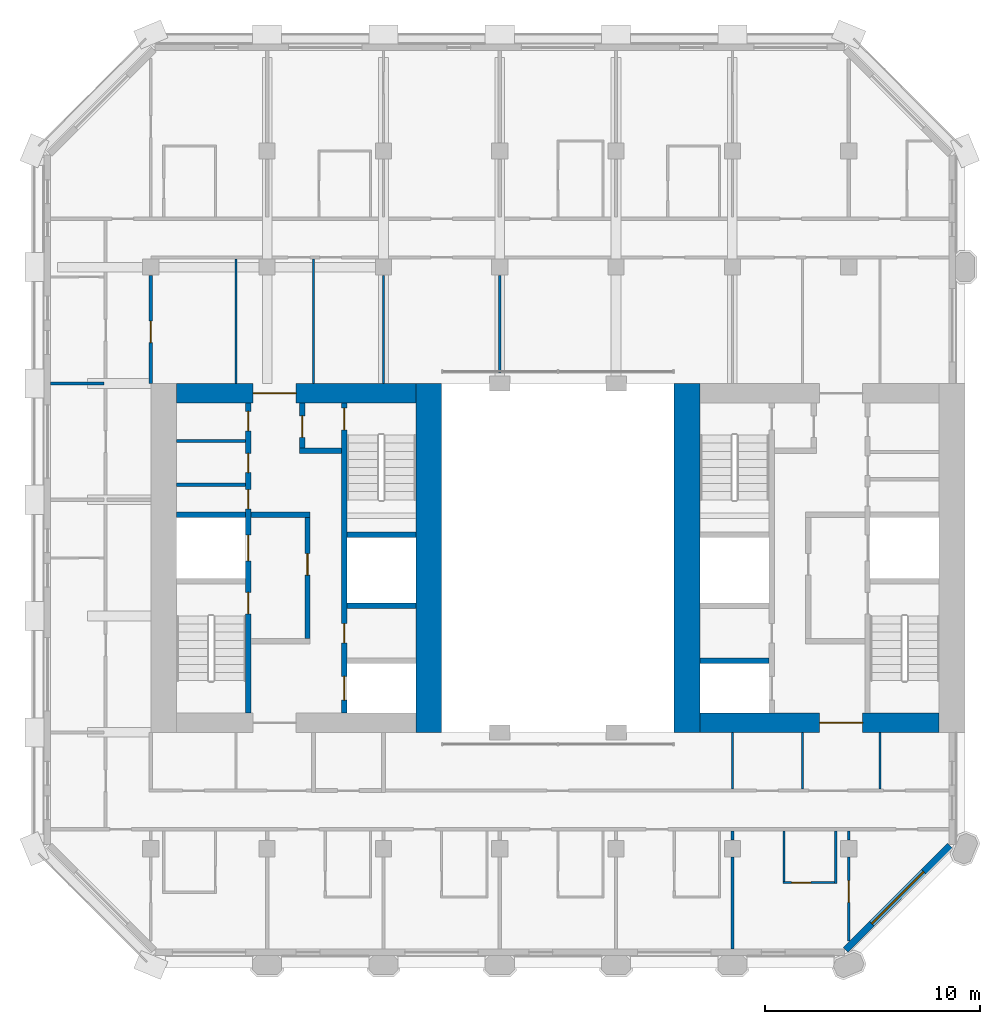
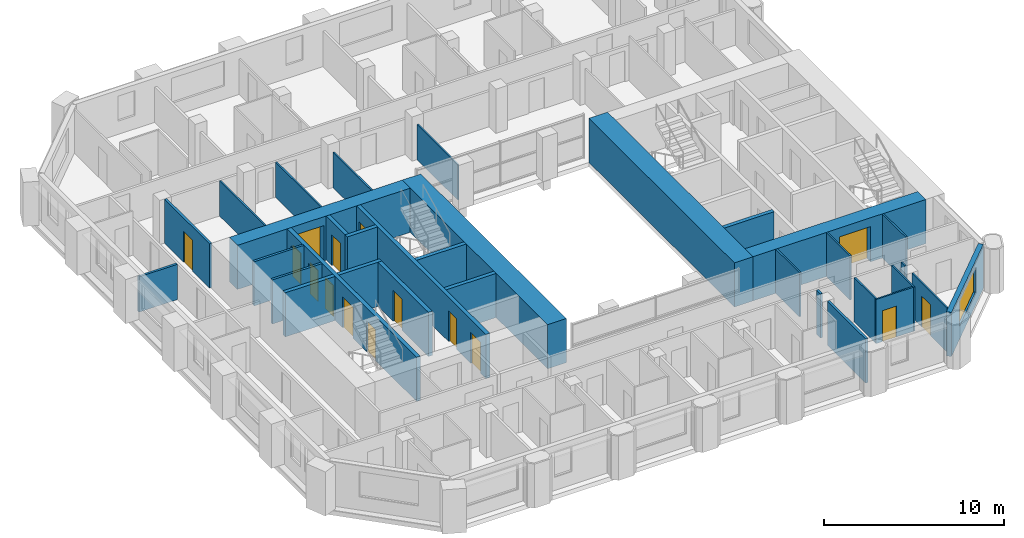
# One storey, part 8 of 14: 33 walls, 15 doors, 1 window, 16 openings.
"""IFC4 building model written with IfcOpenShell, lengths in metres."""

from ifc_helpers import new_model, si_unit, direction, frame, frame_2d, origin, place, context, subcontext, project, spatial, rectangle, extrude, material, layer, layer_set, type_object, element, fill, save


model = new_model("IFC4")

# Units and contexts
model_context = context("Model", 3, precision=1e-05, world=origin(), true_north=direction((0.0, 1.0)))
body_context = subcontext(model_context, "Body", "Model", "MODEL_VIEW")
ifc_project = project(units=[si_unit("LENGTHUNIT", "METRE"), si_unit("AREAUNIT", "SQUARE_METRE"), si_unit("VOLUMEUNIT", "CUBIC_METRE"), si_unit("PLANEANGLEUNIT", "RADIAN"), si_unit("MASSUNIT", "GRAM", prefix="KILO")], contexts=[model_context])

# Site, building, storey
site_placement = place(None, origin())
site = spatial("IfcSite", under=ifc_project, at=site_placement, CompositionType="ELEMENT")
building_placement = place(site_placement, origin())
building = spatial("IfcBuilding", under=site, at=building_placement, Name="Tabaq Tower and Sports Hall", CompositionType="ELEMENT")
storey_placement = place(building_placement, frame((0.0, 0.0, 213.699951171875)))
storey = spatial("IfcBuildingStorey", under=building, at=storey_placement, Name="L53", CompositionType="ELEMENT", Elevation=213.699951171875)

# Walls
ifc_material_1 = material(Name="Blockwork", Category="masonry")
ifc_layer_1 = layer(ifc_material_1, 0.14990234375)
ifc_layer_set_1 = layer_set([ifc_layer_1], Name="Core room partition 150 Blockwork")
wall_type_1 = type_object("IfcWallType", Name="Core room partition 150 Blockwork", PredefinedType="PARTITIONING", material=ifc_layer_set_1)
for number, where, z_axis, x_axis, name in (
    (1, (6.60009765625, 27.694091796875, 0.0), (0.0, 0.0, 1.0), (1.0, 0.0, 0.0), "Core room partition W L53"),
    (2, (6.60009765625, 29.72412109375, 0.0), (0.0, 0.0, 1.0), (1.0, 0.0, 0.0), "Core room partition W L53"),
):
    element("IfcWall", number, at=place(storey_placement, frame(where, z_axis=z_axis, x_axis=x_axis)), inside=storey, type_object=wall_type_1, Name=name, PredefinedType="PARTITIONING", context=body_context, shape_type="SweptSolid", body=[
        extrude(rectangle(XDim=3.199951171875, YDim=0.14990234375, at=frame_2d((1.60009765625, 0.0))), origin(), (0.0, 0.0, 1.0), 3.0),
    ])
ifc_material_2 = material(Name="Concrete C50/60", Category="concrete")
ifc_layer_2 = layer(ifc_material_2, 1.199951171875)
ifc_layer_set_2 = layer_set([ifc_layer_2], Name="Core wall 1200 Concrete C50/60")
wall_type_2 = type_object("IfcWallType", Name="Core wall 1200 Concrete C50/60", PredefinedType="SOLIDWALL", material=ifc_layer_set_2)
for number, where, z_axis, x_axis, name in (
    (3, (18.300048828125, 32.39990234375, 0.0), (0.0, 0.0, 1.0), (0.0, -1.0, 0.0), "Core wall W L53"),
    (4, (30.300048828125, 16.199951171875, 0.0), (0.0, 0.0, 1.0), (0.0, 1.0, 0.0), "Core wall E L53"),
):
    element("IfcWall", number, at=place(storey_placement, frame(where, z_axis=z_axis, x_axis=x_axis)), inside=storey, type_object=wall_type_2, Name=name, PredefinedType="SOLIDWALL", context=body_context, shape_type="SweptSolid", body=[
        extrude(rectangle(XDim=16.199951171875, YDim=1.199951171875, at=frame_2d((8.10009765625, 0.0))), origin(), (0.0, 0.0, 1.0), 3.0),
    ])

# Wall, opening, door
ifc_material_3 = material(Name="Concrete C50/60", Category="concrete")
ifc_layer_3 = layer(ifc_material_3, 0.89990234375)
ifc_layer_set_3 = layer_set([ifc_layer_3], Name="Core wall 900 Concrete C50/60")
wall_type_3 = type_object("IfcWallType", Name="Core wall 900 Concrete C50/60", PredefinedType="SOLIDWALL", material=ifc_layer_set_3)
wall_1_placement = place(storey_placement, frame((6.60009765625, 31.949951171875, 0.0), z_axis=(0.0, 0.0, 1.0), x_axis=(1.0, 0.0, 0.0)))
wall_1 = element("IfcWall", 5, at=wall_1_placement, inside=storey, type_object=wall_type_3, Name="Core wall W L53", PredefinedType="SOLIDWALL", context=body_context, shape_type="SweptSolid", body=[
    extrude(rectangle(XDim=11.099853515625, YDim=0.89990234375, at=frame_2d((5.5498046875, 0.0))), origin(), (0.0, 0.0, 1.0), 3.0),
])
opening_1_placement = place(wall_1_placement, frame((3.550048828125, 0.0, 0.0)))
opening_1 = element("IfcOpeningElement", 6, at=opening_1_placement, cuts=wall_1, Name="Opening PD-WL53-02", PredefinedType="OPENING", context=body_context, shape_type="SweptSolid", body=[
    extrude(rectangle(XDim=2.0, YDim=2.39990234375, at=frame_2d((1.0, 1.199951171875))), frame((0.0, 0.449951171875, 0.0), z_axis=(0.0, -1.0, 0.0), x_axis=(1.0, 0.0, 0.0)), (0.0, 0.0, 1.0), 0.89990234375),
])
ifc_material_4 = material(Name="Steel fire door", Category="steel")
door_type_1 = type_object("IfcDoorType", Name="Core entrance door 2000", OperationType="DOUBLE_DOOR_SINGLE_SWING", PredefinedType="DOOR", material=ifc_material_4)
door_1_placement = place(opening_1_placement, origin())
door_1 = element("IfcDoor", 7, at=door_1_placement, inside=storey, type_object=door_type_1, Name="Core entrance north W L53", OperationType="DOUBLE_DOOR_SINGLE_SWING", OverallHeight=2.39990234375, OverallWidth=2.0, PredefinedType="DOOR", context=body_context, shape_type="SweptSolid", body=[
    extrude(rectangle(XDim=2.0, YDim=2.39990234375, at=frame_2d((1.0, 1.199951171875))), frame((0.0, 0.02490234375, 0.0), z_axis=(0.0, -1.0, 0.0), x_axis=(1.0, 0.0, 0.0)), (0.0, 0.0, 1.0), 0.050048828125),
])
fill(opening_1, door_1)

wall_2_placement = place(storey_placement, frame((42.0, 16.64990234375, 0.0), z_axis=(0.0, 0.0, 1.0), x_axis=(-1.0, 0.0, 0.0)))
wall_2 = element("IfcWall", 8, at=wall_2_placement, inside=storey, type_object=wall_type_3, Name="Core wall E L53", PredefinedType="SOLIDWALL", context=body_context, shape_type="SweptSolid", body=[
    extrude(rectangle(XDim=11.10009765625, YDim=0.89990234375, at=frame_2d((5.550048828125, 0.0))), origin(), (0.0, 0.0, 1.0), 3.0),
])
opening_2_placement = place(wall_2_placement, frame((3.550048828125, 0.0, 0.0)))
opening_2 = element("IfcOpeningElement", 9, at=opening_2_placement, cuts=wall_2, Name="Opening PD-EL53-01", PredefinedType="OPENING", context=body_context, shape_type="SweptSolid", body=[
    extrude(rectangle(XDim=2.0, YDim=2.39990234375, at=frame_2d((1.0, 1.199951171875))), frame((0.0, 0.449951171875, 0.0), z_axis=(0.0, -1.0, 0.0), x_axis=(1.0, 0.0, 0.0)), (0.0, 0.0, 1.0), 0.89990234375),
])
door_2_placement = place(opening_2_placement, origin())
door_2 = element("IfcDoor", 10, at=door_2_placement, inside=storey, type_object=door_type_1, Name="Core entrance south E L53", OperationType="DOUBLE_DOOR_SINGLE_SWING", OverallHeight=2.39990234375, OverallWidth=2.0, PredefinedType="DOOR", context=body_context, shape_type="SweptSolid", body=[
    extrude(rectangle(XDim=2.0, YDim=2.39990234375, at=frame_2d((1.0, 1.199951171875))), frame((0.0, 0.02490234375, 0.0), z_axis=(0.0, -1.0, 0.0), x_axis=(1.0, 0.0, 0.0)), (0.0, 0.0, 1.0), 0.050048828125),
])
fill(opening_2, door_2)

# Walls
ifc_material_5 = material(Name="Gypsum board on steel studs", Category="steel")
ifc_layer_4 = layer(ifc_material_5, 0.10009765625)
ifc_layer_set_4 = layer_set([ifc_layer_4], Name="Partition 100 Gypsum board")
wall_type_4 = type_object("IfcWallType", Name="Partition 100 Gypsum board", PredefinedType="PARTITIONING", material=ifc_layer_set_4)
wall_3_placement = place(storey_placement, frame((21.60009765625, 37.405029296875, 0.0), z_axis=(0.0, 0.0, 1.0), x_axis=(0.0, -1.0, 0.0)))
element("IfcWall", 11, at=wall_3_placement, inside=storey, type_object=wall_type_4, Name="Partition wall L53", PredefinedType="PARTITIONING", context=body_context, shape_type="SweptSolid", body=[
    extrude(rectangle(XDim=4.510009765625, YDim=0.10009765625, at=frame_2d((2.2548828125, 0.0))), origin(), (0.0, 0.0, 1.0), 2.400146484375),
])
wall_4_placement = place(storey_placement, frame((16.199951171875, 37.405029296875, 0.0), z_axis=(0.0, 0.0, 1.0), x_axis=(0.0, -1.0, 0.0)))
element("IfcWall", 12, at=wall_4_placement, inside=storey, type_object=wall_type_4, Name="Partition wall L53", PredefinedType="PARTITIONING", context=body_context, shape_type="SweptSolid", body=[
    extrude(rectangle(XDim=5.005126953125, YDim=0.10009765625, at=frame_2d((2.50244140625, 0.0))), origin(), (0.0, 0.0, 1.0), 2.400146484375),
])
for number, where, z_axis, x_axis, name in (
    (13, (12.949951171875, 32.39990234375, 0.0), (0.0, 0.0, 1.0), (0.0, 1.0, 0.0), "Partition wall L53"),
    (14, (9.35009765625, 38.175048828125, 0.0), (0.0, 0.0, 1.0), (0.0, -1.0, 0.0), "Partition wall L53"),
):
    element("IfcWall", number, at=place(storey_placement, frame(where, z_axis=z_axis, x_axis=x_axis)), inside=storey, type_object=wall_type_4, Name=name, PredefinedType="PARTITIONING", context=body_context, shape_type="SweptSolid", body=[
        extrude(rectangle(XDim=5.775146484375, YDim=0.10009765625, at=frame_2d((2.8876953125, 0.0))), origin(), (0.0, 0.0, 1.0), 2.400146484375),
    ])

# Wall, opening, door
wall_5_placement = place(storey_placement, frame((37.800048828125, 6.51220703125, 0.0), z_axis=(0.0, 0.0, 1.0), x_axis=(0.0, 1.0, 0.0)))
wall_5 = element("IfcWall", 15, at=wall_5_placement, inside=storey, type_object=wall_type_4, Name="Partition wall L53", PredefinedType="PARTITIONING", context=body_context, shape_type="SweptSolid", body=[
    extrude(rectangle(XDim=3.892822265625, YDim=0.10009765625, at=frame_2d((1.9462890625, 0.0))), origin(), (0.0, 0.0, 1.0), 3.0),
])
opening_3_placement = place(wall_5_placement, frame((1.80029296875, 0.0, 0.0)))
opening_3 = element("IfcOpeningElement", 16, at=opening_3_placement, cuts=wall_5, Name="Opening L53-038", PredefinedType="OPENING", context=body_context, shape_type="SweptSolid", body=[
    extrude(rectangle(XDim=1.0, YDim=2.10009765625, at=frame_2d((0.5, 1.050048828125))), frame((0.0, 0.050048828125, 0.0), z_axis=(0.0, -1.0, 0.0), x_axis=(1.0, 0.0, 0.0)), (0.0, 0.0, 1.0), 0.10009765625),
])
ifc_material_6 = material(Name="Timber leaf in steel frame", Category="steel")
door_type_2 = type_object("IfcDoorType", Name="Internal door 1000 right hand", OperationType="SINGLE_SWING_RIGHT", PredefinedType="DOOR", material=ifc_material_6)
door_3_placement = place(opening_3_placement, origin())
door_3 = element("IfcDoor", 17, at=door_3_placement, inside=storey, type_object=door_type_2, Name="Internal door L53-038", OperationType="SINGLE_SWING_RIGHT", OverallHeight=2.10009765625, OverallWidth=1.0, PredefinedType="DOOR", context=body_context, shape_type="SweptSolid", body=[
    extrude(rectangle(XDim=1.0, YDim=2.10009765625, at=frame_2d((0.5, 1.050048828125))), frame((0.0, 0.02490234375, 0.0), z_axis=(0.0, -1.0, 0.0), x_axis=(1.0, 0.0, 0.0)), (0.0, 0.0, 1.0), 0.050048828125),
])
fill(opening_3, door_3)

# Walls
wall_6_placement = place(storey_placement, frame((37.800048828125, 11.195068359375, 0.0), z_axis=(0.0, 0.0, 1.0), x_axis=(0.0, 1.0, 0.0)))
element("IfcWall", 18, at=wall_6_placement, inside=storey, type_object=wall_type_4, Name="Partition wall L53", PredefinedType="PARTITIONING", context=body_context, shape_type="SweptSolid", body=[
    extrude(rectangle(XDim=0.429931640625, YDim=0.10009765625, at=frame_2d((0.21484375, 0.0))), origin(), (0.0, 0.0, 1.0), 3.0),
])
wall_7_placement = place(storey_placement, frame((37.199951171875, 11.625, 0.0), z_axis=(0.0, 0.0, 1.0), x_axis=(0.0, -1.0, 0.0)))
element("IfcWall", 19, at=wall_7_placement, inside=storey, type_object=wall_type_4, Name="Partition wall L53", PredefinedType="PARTITIONING", context=body_context, shape_type="SweptSolid", body=[
    extrude(rectangle(XDim=2.449951171875, YDim=0.10009765625, at=frame_2d((1.22509765625, 0.0))), origin(), (0.0, 0.0, 1.0), 3.0),
])

# Wall, opening, door
wall_8_placement = place(storey_placement, frame((37.14990234375, 9.22509765625, 0.0), z_axis=(0.0, 0.0, 1.0), x_axis=(-1.0, 0.0, 0.0)))
wall_8 = element("IfcWall", 20, at=wall_8_placement, inside=storey, type_object=wall_type_4, Name="Partition wall L53", PredefinedType="PARTITIONING", context=body_context, shape_type="SweptSolid", body=[
    extrude(rectangle(XDim=2.39990234375, YDim=0.10009765625, at=frame_2d((1.199951171875, 0.0))), origin(), (0.0, 0.0, 1.0), 3.0),
])
opening_4_placement = place(wall_8_placement, frame((1.10009765625, 0.0, 0.0)))
opening_4 = element("IfcOpeningElement", 21, at=opening_4_placement, cuts=wall_8, Name="Opening L53-015", PredefinedType="OPENING", context=body_context, shape_type="SweptSolid", body=[
    extrude(rectangle(XDim=0.89990234375, YDim=2.10009765625, at=frame_2d((0.449951171875, 1.050048828125))), frame((0.0, 0.050048828125, 0.0), z_axis=(0.0, -1.0, 0.0), x_axis=(1.0, 0.0, 0.0)), (0.0, 0.0, 1.0), 0.10009765625),
])
ifc_material_7 = material(Name="Timber leaf in steel frame", Category="steel")
door_type_3 = type_object("IfcDoorType", Name="Internal door 900 right hand", OperationType="SINGLE_SWING_RIGHT", PredefinedType="DOOR", material=ifc_material_7)
door_4_placement = place(opening_4_placement, origin())
door_4 = element("IfcDoor", 22, at=door_4_placement, inside=storey, type_object=door_type_3, Name="Internal door L53-015", OperationType="SINGLE_SWING_RIGHT", OverallHeight=2.10009765625, OverallWidth=0.89990234375, PredefinedType="DOOR", context=body_context, shape_type="SweptSolid", body=[
    extrude(rectangle(XDim=0.89990234375, YDim=2.10009765625, at=frame_2d((0.449951171875, 1.050048828125))), frame((0.0, 0.02490234375, 0.0), z_axis=(0.0, -1.0, 0.0), x_axis=(1.0, 0.0, 0.0)), (0.0, 0.0, 1.0), 0.050048828125),
])
fill(opening_4, door_4)

# Walls
wall_9_placement = place(storey_placement, frame((34.800048828125, 9.27490234375, 0.0), z_axis=(0.0, 0.0, 1.0), x_axis=(0.0, 1.0, 0.0)))
element("IfcWall", 23, at=wall_9_placement, inside=storey, type_object=wall_type_4, Name="Partition wall L53", PredefinedType="PARTITIONING", context=body_context, shape_type="SweptSolid", body=[
    extrude(rectangle(XDim=2.35009765625, YDim=0.10009765625, at=frame_2d((1.175048828125, 0.0))), origin(), (0.0, 0.0, 1.0), 3.0),
])
for number, where, z_axis, x_axis, name in (
    (24, (32.39990234375, 13.574951171875, 0.0), (0.0, 0.0, 1.0), (0.0, 1.0, 0.0), "Partition wall L53"),
    (25, (39.25, 13.574951171875, 0.0), (0.0, 0.0, 1.0), (0.0, 1.0, 0.0), "Partition wall L53"),
    (26, (35.64990234375, 16.199951171875, 0.0), (0.0, 0.0, 1.0), (0.0, -1.0, 0.0), "Partition wall L53"),
):
    element("IfcWall", number, at=place(storey_placement, frame(where, z_axis=z_axis, x_axis=x_axis)), inside=storey, type_object=wall_type_4, Name=name, PredefinedType="PARTITIONING", context=body_context, shape_type="SweptSolid", body=[
        extrude(rectangle(XDim=2.625, YDim=0.10009765625, at=frame_2d((1.3125, 0.0))), origin(), (0.0, 0.0, 1.0), 3.0),
    ])
ifc_material_8 = material(Name="Blockwork", Category="masonry")
ifc_layer_5 = layer(ifc_material_8, 0.14990234375)
ifc_layer_set_5 = layer_set([ifc_layer_5], Name="Separating wall 150 Blockwork")
wall_type_5 = type_object("IfcWallType", Name="Separating wall 150 Blockwork", PredefinedType="PARTITIONING", material=ifc_layer_set_5)
wall_10_placement = place(storey_placement, frame((0.7509765625, 32.39990234375, 0.0), z_axis=(0.0, 0.0, 1.0), x_axis=(1.0, 0.0, 0.0)))
element("IfcWall", 27, at=wall_10_placement, inside=storey, type_object=wall_type_5, Name="Separating wall L53", PredefinedType="PARTITIONING", context=body_context, shape_type="SweptSolid", body=[
    extrude(rectangle(XDim=2.47412109375, YDim=0.14990234375, at=frame_2d((1.237060546875, 0.0))), origin(), (0.0, 0.0, 1.0), 2.400146484375),
])

# Wall, opening, door
wall_11_placement = place(storey_placement, frame((5.39990234375, 32.39990234375, 0.0), z_axis=(0.0, 0.0, 1.0), x_axis=(0.0, 1.0, 0.0)))
wall_11 = element("IfcWall", 28, at=wall_11_placement, inside=storey, type_object=wall_type_5, Name="Separating wall L53", PredefinedType="PARTITIONING", context=body_context, shape_type="SweptSolid", body=[
    extrude(rectangle(XDim=5.005126953125, YDim=0.14990234375, at=frame_2d((2.50244140625, 0.0))), origin(), (0.0, 0.0, 1.0), 3.0),
])
opening_5_placement = place(wall_11_placement, frame((1.89404296875, 0.0, 0.0)))
opening_5 = element("IfcOpeningElement", 29, at=opening_5_placement, cuts=wall_11, Name="Opening L53-012", PredefinedType="OPENING", context=body_context, shape_type="SweptSolid", body=[
    extrude(rectangle(XDim=1.0, YDim=2.10009765625, at=frame_2d((0.5, 1.050048828125))), frame((0.0, 0.074951171875, 0.0), z_axis=(0.0, -1.0, 0.0), x_axis=(1.0, 0.0, 0.0)), (0.0, 0.0, 1.0), 0.14990234375),
])
ifc_material_9 = material(Name="Timber leaf in steel frame", Category="steel")
door_type_4 = type_object("IfcDoorType", Name="Internal door 1000 left hand", OperationType="SINGLE_SWING_LEFT", PredefinedType="DOOR", material=ifc_material_9)
door_5_placement = place(opening_5_placement, origin())
door_5 = element("IfcDoor", 30, at=door_5_placement, inside=storey, type_object=door_type_4, Name="Internal door L53-012", OperationType="SINGLE_SWING_LEFT", OverallHeight=2.10009765625, OverallWidth=1.0, PredefinedType="DOOR", context=body_context, shape_type="SweptSolid", body=[
    extrude(rectangle(XDim=1.0, YDim=2.10009765625, at=frame_2d((0.5, 1.050048828125))), frame((0.0, 0.02490234375, 0.0), z_axis=(0.0, -1.0, 0.0), x_axis=(1.0, 0.0, 0.0)), (0.0, 0.0, 1.0), 0.050048828125),
])
fill(opening_5, door_5)

# Walls
wall_12_placement = place(storey_placement, frame((32.39990234375, 11.625, 0.0), z_axis=(0.0, 0.0, 1.0), x_axis=(0.0, -1.0, 0.0)))
element("IfcWall", 31, at=wall_12_placement, inside=storey, type_object=wall_type_5, Name="Separating wall L53", PredefinedType="PARTITIONING", context=body_context, shape_type="SweptSolid", body=[
    extrude(rectangle(XDim=0.429931640625, YDim=0.14990234375, at=frame_2d((0.21484375, 0.0))), origin(), (0.0, 0.0, 1.0), 3.0),
])
wall_13_placement = place(storey_placement, frame((32.39990234375, 10.405029296875, 0.0), z_axis=(0.0, 0.0, 1.0), x_axis=(0.0, -1.0, 0.0)))
element("IfcWall", 32, at=wall_13_placement, inside=storey, type_object=wall_type_5, Name="Separating wall L53", PredefinedType="PARTITIONING", context=body_context, shape_type="SweptSolid", body=[
    extrude(rectangle(XDim=4.254150390625, YDim=0.14990234375, at=frame_2d((2.126953125, 0.0))), origin(), (0.0, 0.0, 1.0), 3.0),
])

# Wall, openings, doors
ifc_material_10 = material(Name="Concrete C40/50", Category="concrete")
ifc_layer_6 = layer(ifc_material_10, 0.25)
ifc_layer_set_6 = layer_set([ifc_layer_6], Name="Shaft and stair wall 250 Concrete C40/50")
wall_type_6 = type_object("IfcWallType", Name="Shaft and stair wall 250 Concrete C40/50", PredefinedType="SOLIDWALL", material=ifc_layer_set_6)
wall_14_placement = place(storey_placement, frame((9.925048828125, 17.10009765625, 0.0), z_axis=(0.0, 0.0, 1.0), x_axis=(0.0, 1.0, 0.0)))
wall_14 = element("IfcWall", 33, at=wall_14_placement, inside=storey, type_object=wall_type_6, Name="Shaft wall W L53", PredefinedType="SOLIDWALL", context=body_context, shape_type="SweptSolid", body=[
    extrude(rectangle(XDim=14.39990234375, YDim=0.25, at=frame_2d((7.199951171875, 0.0))), origin(), (0.0, 0.0, 1.0), 3.0),
])
opening_6_placement = place(wall_14_placement, frame((4.60009765625, 0.0, 0.0)))
opening_6 = element("IfcOpeningElement", 34, at=opening_6_placement, cuts=wall_14, Name="Opening SD-WL53-03", PredefinedType="OPENING", context=body_context, shape_type="SweptSolid", body=[
    extrude(rectangle(XDim=1.0, YDim=2.10009765625, at=frame_2d((0.5, 1.050048828125))), frame((0.0, 0.125, 0.0), z_axis=(0.0, -1.0, 0.0), x_axis=(1.0, 0.0, 0.0)), (0.0, 0.0, 1.0), 0.25),
])
opening_7_placement = place(wall_14_placement, frame((7.0625, 0.0, 0.0)))
opening_7 = element("IfcOpeningElement", 35, at=opening_7_placement, cuts=wall_14, Name="Opening LD-FF1-L53", PredefinedType="OPENING", context=body_context, shape_type="SweptSolid", body=[
    extrude(rectangle(XDim=1.199951171875, YDim=2.10009765625, at=frame_2d((0.60009765625, 1.050048828125))), frame((0.0, 0.125, 0.0), z_axis=(0.0, -1.0, 0.0), x_axis=(1.0, 0.0, 0.0)), (0.0, 0.0, 1.0), 0.25),
])
opening_8_placement = place(wall_14_placement, frame((9.471923828125, 0.0, 0.0)))
opening_8 = element("IfcOpeningElement", 36, at=opening_8_placement, cuts=wall_14, Name="Opening RD-WL53-09", PredefinedType="OPENING", context=body_context, shape_type="SweptSolid", body=[
    extrude(rectangle(XDim=0.89990234375, YDim=2.10009765625, at=frame_2d((0.449951171875, 1.050048828125))), frame((0.0, 0.125, 0.0), z_axis=(0.0, -1.0, 0.0), x_axis=(1.0, 0.0, 0.0)), (0.0, 0.0, 1.0), 0.25),
])
opening_9_placement = place(wall_14_placement, frame((11.158935546875, 0.0, 0.0)))
opening_9 = element("IfcOpeningElement", 37, at=opening_9_placement, cuts=wall_14, Name="Opening RD-WL53-10", PredefinedType="OPENING", context=body_context, shape_type="SweptSolid", body=[
    extrude(rectangle(XDim=0.89990234375, YDim=2.10009765625, at=frame_2d((0.449951171875, 1.050048828125))), frame((0.0, 0.125, 0.0), z_axis=(0.0, -1.0, 0.0), x_axis=(1.0, 0.0, 0.0)), (0.0, 0.0, 1.0), 0.25),
])
opening_10_placement = place(wall_14_placement, frame((13.099609375, 0.0, 0.0)))
opening_10 = element("IfcOpeningElement", 38, at=opening_10_placement, cuts=wall_14, Name="Opening RD-WL53-11", PredefinedType="OPENING", context=body_context, shape_type="SweptSolid", body=[
    extrude(rectangle(XDim=0.89990234375, YDim=2.10009765625, at=frame_2d((0.449951171875, 1.050048828125))), frame((0.0, 0.125, 0.0), z_axis=(0.0, -1.0, 0.0), x_axis=(1.0, 0.0, 0.0)), (0.0, 0.0, 1.0), 0.25),
])
ifc_material_11 = material(Name="Steel fire door", Category="steel")
door_type_5 = type_object("IfcDoorType", Name="Core room door 900", OperationType="SINGLE_SWING_LEFT", PredefinedType="DOOR", material=ifc_material_11)
door_6_placement = place(opening_8_placement, origin())
door_6 = element("IfcDoor", 39, at=door_6_placement, inside=storey, type_object=door_type_5, Name="Door Electrical Riser Room W L53", OperationType="SINGLE_SWING_LEFT", OverallHeight=2.10009765625, OverallWidth=0.89990234375, PredefinedType="DOOR", context=body_context, shape_type="SweptSolid", body=[
    extrude(rectangle(XDim=0.89990234375, YDim=2.10009765625, at=frame_2d((0.449951171875, 1.050048828125))), frame((0.0, 0.02490234375, 0.0), z_axis=(0.0, -1.0, 0.0), x_axis=(1.0, 0.0, 0.0)), (0.0, 0.0, 1.0), 0.050048828125),
])
fill(opening_8, door_6)
door_7_placement = place(opening_9_placement, origin())
door_7 = element("IfcDoor", 40, at=door_7_placement, inside=storey, type_object=door_type_5, Name="Door Unisex WC W L53", OperationType="SINGLE_SWING_LEFT", OverallHeight=2.10009765625, OverallWidth=0.89990234375, PredefinedType="DOOR", context=body_context, shape_type="SweptSolid", body=[
    extrude(rectangle(XDim=0.89990234375, YDim=2.10009765625, at=frame_2d((0.449951171875, 1.050048828125))), frame((0.0, 0.02490234375, 0.0), z_axis=(0.0, -1.0, 0.0), x_axis=(1.0, 0.0, 0.0)), (0.0, 0.0, 1.0), 0.050048828125),
])
fill(opening_9, door_7)
door_8_placement = place(opening_10_placement, origin())
door_8 = element("IfcDoor", 41, at=door_8_placement, inside=storey, type_object=door_type_5, Name="Door Accessible WC W L53", OperationType="SINGLE_SWING_LEFT", OverallHeight=2.10009765625, OverallWidth=0.89990234375, PredefinedType="DOOR", context=body_context, shape_type="SweptSolid", body=[
    extrude(rectangle(XDim=0.89990234375, YDim=2.10009765625, at=frame_2d((0.449951171875, 1.050048828125))), frame((0.0, 0.02490234375, 0.0), z_axis=(0.0, -1.0, 0.0), x_axis=(1.0, 0.0, 0.0)), (0.0, 0.0, 1.0), 0.050048828125),
])
fill(opening_10, door_8)
ifc_material_12 = material(Name="Stainless steel", Category="steel")
door_type_6 = type_object("IfcDoorType", Name="Lift landing door 1200", OperationType="DOUBLE_DOOR_SLIDING", PredefinedType="DOOR", material=ifc_material_12)
door_9_placement = place(opening_7_placement, origin())
door_9 = element("IfcDoor", 42, at=door_9_placement, inside=storey, type_object=door_type_6, Name="Lift landing door FF1 W L53", OperationType="DOUBLE_DOOR_SLIDING", OverallHeight=2.10009765625, OverallWidth=1.199951171875, PredefinedType="DOOR", context=body_context, shape_type="SweptSolid", body=[
    extrude(rectangle(XDim=1.199951171875, YDim=2.10009765625, at=frame_2d((0.60009765625, 1.050048828125))), frame((0.0, 0.02490234375, 0.0), z_axis=(0.0, -1.0, 0.0), x_axis=(1.0, 0.0, 0.0)), (0.0, 0.0, 1.0), 0.050048828125),
])
fill(opening_7, door_9)
ifc_material_13 = material(Name="Steel fire door", Category="steel")
door_type_7 = type_object("IfcDoorType", Name="Stair door 1000", OperationType="SINGLE_SWING_LEFT", PredefinedType="DOOR", material=ifc_material_13)
door_10_placement = place(opening_6_placement, origin())
door_10 = element("IfcDoor", 43, at=door_10_placement, inside=storey, type_object=door_type_7, Name="Stair door ST1 W L53", OperationType="SINGLE_SWING_LEFT", OverallHeight=2.10009765625, OverallWidth=1.0, PredefinedType="DOOR", context=body_context, shape_type="SweptSolid", body=[
    extrude(rectangle(XDim=1.0, YDim=2.10009765625, at=frame_2d((0.5, 1.050048828125))), frame((0.0, 0.02490234375, 0.0), z_axis=(0.0, -1.0, 0.0), x_axis=(1.0, 0.0, 0.0)), (0.0, 0.0, 1.0), 0.050048828125),
])
fill(opening_6, door_10)

wall_15_placement = place(storey_placement, frame((14.375, 17.10009765625, 0.0), z_axis=(0.0, 0.0, 1.0), x_axis=(0.0, 1.0, 0.0)))
wall_15 = element("IfcWall", 44, at=wall_15_placement, inside=storey, type_object=wall_type_6, Name="Shaft wall W L53", PredefinedType="SOLIDWALL", context=body_context, shape_type="SweptSolid", body=[
    extrude(rectangle(XDim=14.39990234375, YDim=0.25, at=frame_2d((7.199951171875, 0.0))), origin(), (0.0, 0.0, 1.0), 3.0),
])
opening_11_placement = place(wall_15_placement, frame((13.14990234375, 0.0, 0.0)))
opening_11 = element("IfcOpeningElement", 45, at=opening_11_placement, cuts=wall_15, Name="Opening SD-WL53-05", PredefinedType="OPENING", context=body_context, shape_type="SweptSolid", body=[
    extrude(rectangle(XDim=1.0, YDim=2.10009765625, at=frame_2d((0.5, 1.050048828125))), frame((0.0, 0.125, 0.0), z_axis=(0.0, -1.0, 0.0), x_axis=(1.0, 0.0, 0.0)), (0.0, 0.0, 1.0), 0.25),
])
opening_12_placement = place(wall_15_placement, frame((0.60009765625, 0.0, 0.0)))
opening_12 = element("IfcOpeningElement", 46, at=opening_12_placement, cuts=wall_15, Name="Opening LD-MR1-L53", PredefinedType="OPENING", context=body_context, shape_type="SweptSolid", body=[
    extrude(rectangle(XDim=1.10009765625, YDim=2.10009765625, at=frame_2d((0.550048828125, 1.050048828125))), frame((0.0, 0.125, 0.0), z_axis=(0.0, -1.0, 0.0), x_axis=(1.0, 0.0, 0.0)), (0.0, 0.0, 1.0), 0.25),
])
opening_13_placement = place(wall_15_placement, frame((3.25, 0.0, 0.0)))
opening_13 = element("IfcOpeningElement", 47, at=opening_13_placement, cuts=wall_15, Name="Opening RD-WL53-12", PredefinedType="OPENING", context=body_context, shape_type="SweptSolid", body=[
    extrude(rectangle(XDim=0.89990234375, YDim=2.10009765625, at=frame_2d((0.449951171875, 1.050048828125))), frame((0.0, 0.125, 0.0), z_axis=(0.0, -1.0, 0.0), x_axis=(1.0, 0.0, 0.0)), (0.0, 0.0, 1.0), 0.25),
])
door_11_placement = place(opening_13_placement, origin())
door_11 = element("IfcDoor", 48, at=door_11_placement, inside=storey, type_object=door_type_5, Name="Door Cleaner's Store W L53", OperationType="SINGLE_SWING_LEFT", OverallHeight=2.10009765625, OverallWidth=0.89990234375, PredefinedType="DOOR", context=body_context, shape_type="SweptSolid", body=[
    extrude(rectangle(XDim=0.89990234375, YDim=2.10009765625, at=frame_2d((0.449951171875, 1.050048828125))), frame((0.0, 0.02490234375, 0.0), z_axis=(0.0, -1.0, 0.0), x_axis=(1.0, 0.0, 0.0)), (0.0, 0.0, 1.0), 0.050048828125),
])
fill(opening_13, door_11)
ifc_material_14 = material(Name="Stainless steel", Category="steel")
door_type_8 = type_object("IfcDoorType", Name="Lift landing door 1100", OperationType="DOUBLE_DOOR_SLIDING", PredefinedType="DOOR", material=ifc_material_14)
door_12_placement = place(opening_12_placement, origin())
door_12 = element("IfcDoor", 49, at=door_12_placement, inside=storey, type_object=door_type_8, Name="Lift landing door MR1 W L53", OperationType="DOUBLE_DOOR_SLIDING", OverallHeight=2.10009765625, OverallWidth=1.10009765625, PredefinedType="DOOR", context=body_context, shape_type="SweptSolid", body=[
    extrude(rectangle(XDim=1.10009765625, YDim=2.10009765625, at=frame_2d((0.550048828125, 1.050048828125))), frame((0.0, 0.02490234375, 0.0), z_axis=(0.0, -1.0, 0.0), x_axis=(1.0, 0.0, 0.0)), (0.0, 0.0, 1.0), 0.050048828125),
])
fill(opening_12, door_12)
door_13_placement = place(opening_11_placement, origin())
door_13 = element("IfcDoor", 50, at=door_13_placement, inside=storey, type_object=door_type_7, Name="Stair door ST2 W L53", OperationType="SINGLE_SWING_LEFT", OverallHeight=2.10009765625, OverallWidth=1.0, PredefinedType="DOOR", context=body_context, shape_type="SweptSolid", body=[
    extrude(rectangle(XDim=1.0, YDim=2.10009765625, at=frame_2d((0.5, 1.050048828125))), frame((0.0, 0.02490234375, 0.0), z_axis=(0.0, -1.0, 0.0), x_axis=(1.0, 0.0, 0.0)), (0.0, 0.0, 1.0), 0.050048828125),
])
fill(opening_11, door_13)

# Walls
for number, where, z_axis, x_axis, name in (
    (51, (14.5, 25.375, 0.0), (0.0, 0.0, 1.0), (1.0, 0.0, 0.0), "Stair enclosure wall W L53"),
    (52, (14.5, 22.074951171875, 0.0), (0.0, 0.0, 1.0), (1.0, 0.0, 0.0), "Shaft wall W L53"),
    (53, (6.60009765625, 26.300048828125, 0.0), (0.0, 0.0, 1.0), (1.0, 0.0, 0.0), "Shaft wall W L53"),
):
    element("IfcWall", number, at=place(storey_placement, frame(where, z_axis=z_axis, x_axis=x_axis)), inside=storey, type_object=wall_type_6, Name=name, PredefinedType="SOLIDWALL", context=body_context, shape_type="SweptSolid", body=[
        extrude(rectangle(XDim=3.199951171875, YDim=0.25, at=frame_2d((1.60009765625, 0.0))), origin(), (0.0, 0.0, 1.0), 3.0),
    ])
wall_16_placement = place(storey_placement, frame((10.050048828125, 26.300048828125, 0.0), z_axis=(0.0, 0.0, 1.0), x_axis=(1.0, 0.0, 0.0)))
element("IfcWall", 54, at=wall_16_placement, inside=storey, type_object=wall_type_6, Name="Fire-fighting lobby wall W L53", PredefinedType="SOLIDWALL", context=body_context, shape_type="SweptSolid", body=[
    extrude(rectangle(XDim=2.75, YDim=0.25, at=frame_2d((1.375, 0.0))), origin(), (0.0, 0.0, 1.0), 3.0),
])

# Wall, opening, door
wall_17_placement = place(storey_placement, frame((12.425048828125, 29.39990234375, 0.0), z_axis=(0.0, 0.0, 1.0), x_axis=(0.0, 1.0, 0.0)))
wall_17 = element("IfcWall", 55, at=wall_17_placement, inside=storey, type_object=wall_type_6, Name="Fire-fighting lobby wall W L53", PredefinedType="SOLIDWALL", context=body_context, shape_type="SweptSolid", body=[
    extrude(rectangle(XDim=2.10009765625, YDim=0.25, at=frame_2d((1.050048828125, 0.0))), origin(), (0.0, 0.0, 1.0), 3.0),
])
opening_14_placement = place(wall_17_placement, frame((0.5, 0.0, 0.0)))
opening_14 = element("IfcOpeningElement", 56, at=opening_14_placement, cuts=wall_17, Name="Opening FD-WL53-06", PredefinedType="OPENING", context=body_context, shape_type="SweptSolid", body=[
    extrude(rectangle(XDim=1.0, YDim=2.10009765625, at=frame_2d((0.5, 1.050048828125))), frame((0.0, 0.125, 0.0), z_axis=(0.0, -1.0, 0.0), x_axis=(1.0, 0.0, 0.0)), (0.0, 0.0, 1.0), 0.25),
])
ifc_material_15 = material(Name="Steel fire door", Category="steel")
door_type_9 = type_object("IfcDoorType", Name="Fire-fighting lobby door 1000", OperationType="SINGLE_SWING_LEFT", PredefinedType="DOOR", material=ifc_material_15)
door_14_placement = place(opening_14_placement, origin())
door_14 = element("IfcDoor", 57, at=door_14_placement, inside=storey, type_object=door_type_9, Name="Stair lobby door W L53", OperationType="SINGLE_SWING_LEFT", OverallHeight=2.10009765625, OverallWidth=1.0, PredefinedType="DOOR", context=body_context, shape_type="SweptSolid", body=[
    extrude(rectangle(XDim=1.0, YDim=2.10009765625, at=frame_2d((0.5, 1.050048828125))), frame((0.0, 0.02490234375, 0.0), z_axis=(0.0, -1.0, 0.0), x_axis=(1.0, 0.0, 0.0)), (0.0, 0.0, 1.0), 0.050048828125),
])
fill(opening_14, door_14)

# Wall
wall_18_placement = place(storey_placement, frame((12.300048828125, 29.27490234375, 0.0), z_axis=(0.0, 0.0, 1.0), x_axis=(1.0, 0.0, 0.0)))
element("IfcWall", 58, at=wall_18_placement, inside=storey, type_object=wall_type_6, Name="Fire-fighting lobby wall W L53", PredefinedType="SOLIDWALL", context=body_context, shape_type="SweptSolid", body=[
    extrude(rectangle(XDim=1.949951171875, YDim=0.25, at=frame_2d((0.97509765625, 0.0))), origin(), (0.0, 0.0, 1.0), 3.0),
])

# Wall, opening, door
wall_19_placement = place(storey_placement, frame((12.675048828125, 20.550048828125, 0.0), z_axis=(0.0, 0.0, 1.0), x_axis=(0.0, 1.0, 0.0)))
wall_19 = element("IfcWall", 59, at=wall_19_placement, inside=storey, type_object=wall_type_6, Name="Fire-fighting lobby wall W L53", PredefinedType="SOLIDWALL", context=body_context, shape_type="SweptSolid", body=[
    extrude(rectangle(XDim=5.625, YDim=0.25, at=frame_2d((2.8125, 0.0))), origin(), (0.0, 0.0, 1.0), 3.0),
])
opening_15_placement = place(wall_19_placement, frame((2.949951171875, 0.0, 0.0)))
opening_15 = element("IfcOpeningElement", 60, at=opening_15_placement, cuts=wall_19, Name="Opening FD-WL53-04", PredefinedType="OPENING", context=body_context, shape_type="SweptSolid", body=[
    extrude(rectangle(XDim=1.0, YDim=2.10009765625, at=frame_2d((0.5, 1.050048828125))), frame((0.0, 0.125, 0.0), z_axis=(0.0, -1.0, 0.0), x_axis=(1.0, 0.0, 0.0)), (0.0, 0.0, 1.0), 0.25),
])
door_15_placement = place(opening_15_placement, origin())
door_15 = element("IfcDoor", 61, at=door_15_placement, inside=storey, type_object=door_type_9, Name="Fire-fighting lobby door W L53", OperationType="SINGLE_SWING_LEFT", OverallHeight=2.10009765625, OverallWidth=1.0, PredefinedType="DOOR", context=body_context, shape_type="SweptSolid", body=[
    extrude(rectangle(XDim=1.0, YDim=2.10009765625, at=frame_2d((0.5, 1.050048828125))), frame((0.0, 0.02490234375, 0.0), z_axis=(0.0, -1.0, 0.0), x_axis=(1.0, 0.0, 0.0)), (0.0, 0.0, 1.0), 0.050048828125),
])
fill(opening_15, door_15)

# Wall
wall_20_placement = place(storey_placement, frame((30.89990234375, 19.52490234375, 0.0), z_axis=(0.0, 0.0, 1.0), x_axis=(1.0, 0.0, 0.0)))
element("IfcWall", 62, at=wall_20_placement, inside=storey, type_object=wall_type_6, Name="Shaft wall E L53", PredefinedType="SOLIDWALL", context=body_context, shape_type="SweptSolid", body=[
    extrude(rectangle(XDim=3.2001953125, YDim=0.25, at=frame_2d((1.60009765625, 0.0))), origin(), (0.0, 0.0, 1.0), 3.0),
])

# Wall, opening, window
ifc_material_16 = material(Name="White precast concrete C60/75", Category="concrete")
ifc_layer_7 = layer(ifc_material_16, 0.300048828125)
ifc_layer_set_7 = layer_set([ifc_layer_7], Name="White precast concrete C60/75 external wall 300")
wall_type_7 = type_object("IfcWallType", Name="White precast concrete C60/75 external wall 300", PredefinedType="SOLIDWALL", material=ifc_layer_set_7)
wall_21_placement = place(storey_placement, frame((37.650390625, 6.098876953125, 0.0), z_axis=(0.0, 0.0, 1.0), x_axis=(0.707106781187, 0.707106781187, 0.0)))
wall_21 = element("IfcWall", 63, at=wall_21_placement, inside=storey, type_object=wall_type_7, Name="External Wall L53 SE", PredefinedType="SOLIDWALL", context=body_context, shape_type="SweptSolid", body=[
    extrude(rectangle(XDim=6.85986328125, YDim=0.300048828125, at=frame_2d((3.429931640625, 0.0))), origin(), (0.0, 0.0, 1.0), 3.0),
])
opening_16_placement = place(wall_21_placement, frame((1.729736328125, 0.0, 0.89990234375)))
opening_16 = element("IfcOpeningElement", 64, at=opening_16_placement, cuts=wall_21, Name="Opening W1A", PredefinedType="OPENING", context=body_context, shape_type="SweptSolid", body=[
    extrude(rectangle(XDim=3.39990234375, YDim=1.699951171875, at=frame_2d((1.699951171875, 0.85009765625))), frame((0.0, 0.16015625, 0.0), z_axis=(0.0, -1.0, 0.0), x_axis=(1.0, 0.0, 0.0)), (0.0, 0.0, 1.0), 0.320068359375),
])
ifc_material_17 = material(Name="Aluminium framed clear glazing", Category="aluminium")
window_type = type_object("IfcWindowType", Name="Window W1A", PartitioningType="SINGLE_PANEL", PredefinedType="WINDOW", material=ifc_material_17)
window_placement = place(opening_16_placement, origin())
window = element("IfcWindow", 65, at=window_placement, inside=storey, type_object=window_type, Name="Window W1A L53", OverallHeight=1.699951171875, OverallWidth=3.39990234375, PartitioningType="SINGLE_PANEL", PredefinedType="WINDOW", context=body_context, shape_type="SweptSolid", body=[
    extrude(rectangle(XDim=3.39990234375, YDim=1.699951171875, at=frame_2d((1.699951171875, 0.85009765625))), frame((0.0, 0.030029296875, 0.0), z_axis=(0.0, -1.0, 0.0), x_axis=(1.0, 0.0, 0.0)), (0.0, 0.0, 1.0), 0.06005859375),
])
fill(opening_16, window)

save(model, "model.ifc")
